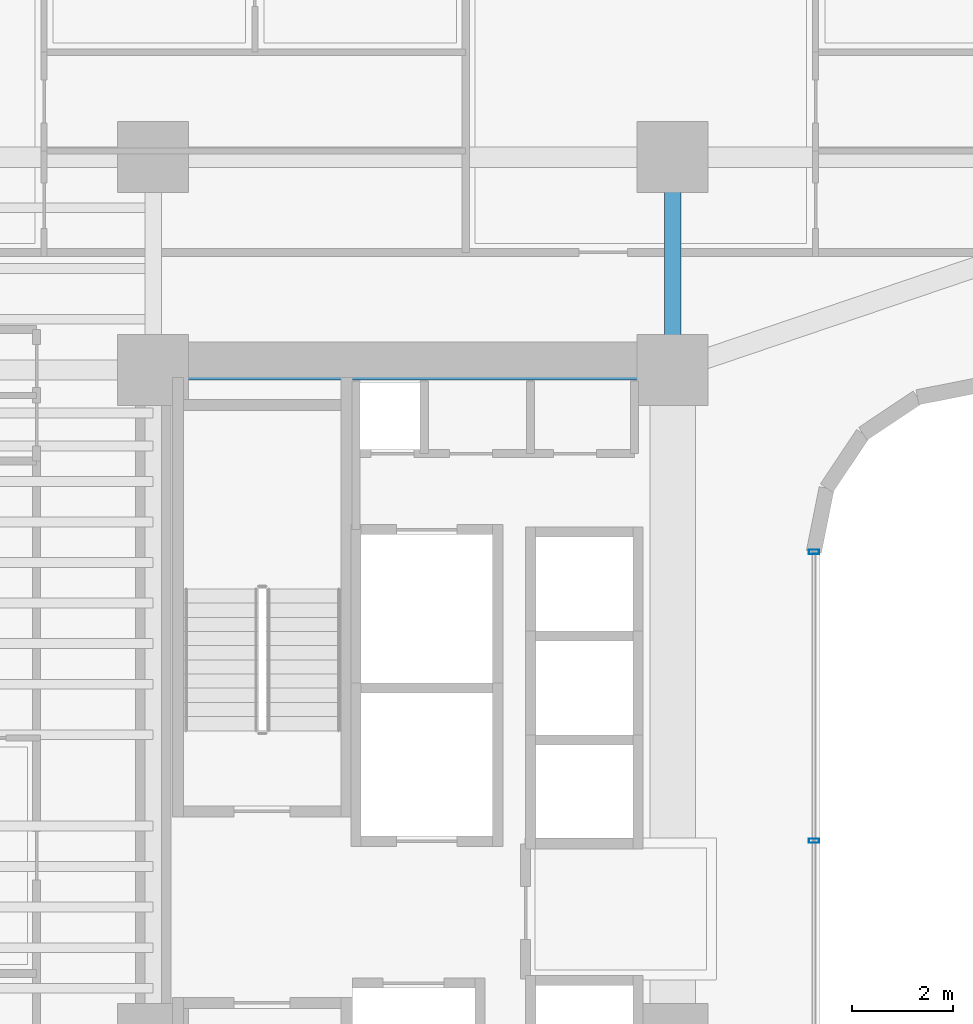
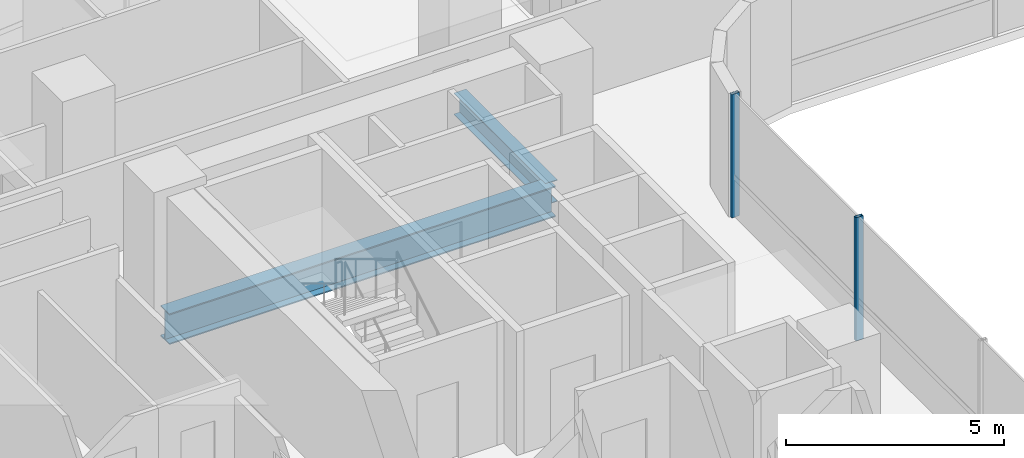
# One storey, part 10 of 40: 2 beams, 2 members, 1 element without a shape of its own.
"""IFC4 building model written with IfcOpenShell, lengths in metres."""

from ifc_helpers import new_model, si_unit, direction, frame, origin, origin_2d, place, context, subcontext, project, spatial, hollow_rectangle, i_section, extrude, source, transform, mapped, material, material_profile, profile_set, type_object, element, aggregate, save


model = new_model("IFC4")

# Units and contexts
model_context = context("Model", 3, precision=1e-05, world=origin(), true_north=direction((0.0, 1.0)))
body_context = subcontext(model_context, "Body", "Model", "MODEL_VIEW")
ifc_project = project(units=[si_unit("LENGTHUNIT", "METRE"), si_unit("AREAUNIT", "SQUARE_METRE"), si_unit("VOLUMEUNIT", "CUBIC_METRE"), si_unit("PLANEANGLEUNIT", "RADIAN"), si_unit("MASSUNIT", "GRAM", prefix="KILO")], contexts=[model_context])

# Site, building, storey
site_placement = place(None, origin())
site = spatial("IfcSite", under=ifc_project, at=site_placement, CompositionType="ELEMENT")
building_placement = place(site_placement, origin())
building = spatial("IfcBuilding", under=site, at=building_placement, Name="Valdorenza Pilgrim Sanctuary Tower", CompositionType="ELEMENT")
storey_placement = place(building_placement, frame((0.0, 0.0, 40.800048828125)))
storey = spatial("IfcBuildingStorey", under=building, at=storey_placement, Name="L09", CompositionType="ELEMENT", Elevation=40.800048828125)

# Beams
ifc_material_1 = material(Name="Steel ASTM A992 Grade 50", Category="steel")
ifc_material_profile_1 = material_profile(ifc_material_1, i_section(OverallWidth=0.323974609375, OverallDepth=0.611083984375, WebThickness=0.0126953125, FlangeThickness=0.01904296875, at=origin_2d()), Name="W24X104")
ifc_profile_set_1 = profile_set([ifc_material_profile_1], Name="Steel ASTM A992 Grade 50")
beam_type_1 = type_object("IfcBeamType", Name="STR-BM-GRD-W24B", PredefinedType="BEAM", material=ifc_profile_set_1)
shared_shape_1 = source(origin(), body_context, "Body", "SweptSolid", [
    extrude(i_section(OverallWidth=0.323974609375, OverallDepth=0.611083984375, WebThickness=0.0126953125, FlangeThickness=0.01904296875, at=origin_2d()), origin(), (0.0, 0.0, 1.0), 4.199951171875),
])
beam_1_placement = place(storey_placement, frame((-12.39990234375, 10.60009765625, -0.545654296875), z_axis=(0.0, 1.0, 0.0), x_axis=(-1.0, 0.0, 0.0)))
element("IfcBeam", 1, at=beam_1_placement, inside=storey, type_object=beam_type_1, Name="L09 Core Tie Girder CA-E-N1N2", PredefinedType="BEAM", context=body_context, shape_type="MappedRepresentation", body=[
    mapped(shared_shape_1, transform((0.0, 0.0, 0.0), x_axis=(1.0, 0.0, 0.0), y_axis=(0.0, 1.0, 0.0), z_axis=(0.0, 0.0, 1.0), scale=1.0)),
])
ifc_material_profile_2 = material_profile(ifc_material_1, i_section(OverallWidth=0.39990234375, OverallDepth=0.862060546875, WebThickness=0.019775390625, FlangeThickness=0.032470703125, at=origin_2d()), Name="W33X221")
ifc_profile_set_2 = profile_set([ifc_material_profile_2], Name="Steel ASTM A992 Grade 50")
beam_type_2 = type_object("IfcBeamType", Name="STR-BM-GRD-W33", PredefinedType="BEAM", material=ifc_profile_set_2)
shared_shape_2 = source(origin(), body_context, "Body", "SweptSolid", [
    extrude(i_section(OverallWidth=0.39990234375, OverallDepth=0.862060546875, WebThickness=0.019775390625, FlangeThickness=0.032470703125, at=origin_2d()), origin(), (0.0, 0.0, 1.0), 10.25),
])
beam_2_placement = place(storey_placement, frame((-22.64990234375, 10.60009765625, -0.671142578125), z_axis=(1.0, 0.0, 0.0), x_axis=(0.0, 1.0, 0.0)))
element("IfcBeam", 2, at=beam_2_placement, inside=storey, type_object=beam_type_2, Name="L09 Floor Girder CA-XC-N1", PredefinedType="BEAM", context=body_context, shape_type="MappedRepresentation", body=[
    mapped(shared_shape_2, transform((0.0, 0.0, 0.0), x_axis=(1.0, 0.0, 0.0), y_axis=(0.0, 1.0, 0.0), z_axis=(0.0, 0.0, 1.0), scale=1.0)),
])

# Curtain wall, members
ifc_material_2 = material(Name="Curtain-wall IGU glazing", Category="glass")
curtain_wall_type = type_object("IfcCurtainWallType", Name="CW-SYS-02", PredefinedType="NOTDEFINED", material=ifc_material_2)
curtain_wall_placement = place(storey_placement, origin())
curtain_wall = element("IfcCurtainWall", 3, at=curtain_wall_placement, inside=storey, type_object=curtain_wall_type, Name="L09 Curtain Wall CW-L09-1-41", PredefinedType="NOTDEFINED")
ifc_material_3 = material(Name="Anodised aluminium AW-6060", Category="aluminium")
ifc_material_profile_3 = material_profile(ifc_material_3, hollow_rectangle(XDim=0.0849609375, YDim=0.199951171875, WallThickness=0.0048828125, at=origin_2d()), Name="ALU-M 200x85x5")
ifc_profile_set_3 = profile_set([ifc_material_profile_3], Name="Anodised aluminium AW-6060")
member_type = type_object("IfcMemberType", Name="CW-MUL-02", PredefinedType="MULLION", material=ifc_profile_set_3)
shared_shape_3 = source(origin(), body_context, "Body", "SweptSolid", [
    extrude(hollow_rectangle(XDim=0.0849609375, YDim=0.199951171875, WallThickness=0.0048828125, at=origin_2d()), origin(), (0.0, 0.0, 1.0), 3.4599609375),
])
member_1_placement = place(storey_placement, frame((-9.610107421875, 7.0107421875, 0.0), z_axis=(0.0, 0.0, 1.0), x_axis=(0.0, -1.0, 0.0)))
member_1 = element("IfcMember", 4, at=member_1_placement, type_object=member_type, Name="CW-L09-1-41 Mullion 1", PredefinedType="MULLION", context=body_context, shape_type="MappedRepresentation", body=[
    mapped(shared_shape_3, transform((0.0, 0.0, 0.0), x_axis=(1.0, 0.0, 0.0), y_axis=(0.0, 1.0, 0.0), z_axis=(0.0, 0.0, 1.0), scale=1.0)),
])
member_2_placement = place(storey_placement, frame((-9.610107421875, 1.310791015625, 0.0), z_axis=(0.0, 0.0, 1.0), x_axis=(0.0, -1.0, 0.0)))
member_2 = element("IfcMember", 5, at=member_2_placement, type_object=member_type, Name="CW-L09-1-41 Mullion 2", PredefinedType="MULLION", context=body_context, shape_type="MappedRepresentation", body=[
    mapped(shared_shape_3, transform((0.0, 0.0, 0.0), x_axis=(1.0, 0.0, 0.0), y_axis=(0.0, 1.0, 0.0), z_axis=(0.0, 0.0, 1.0), scale=1.0)),
])
aggregate(curtain_wall, [member_1, member_2])

save(model, "model.ifc")
